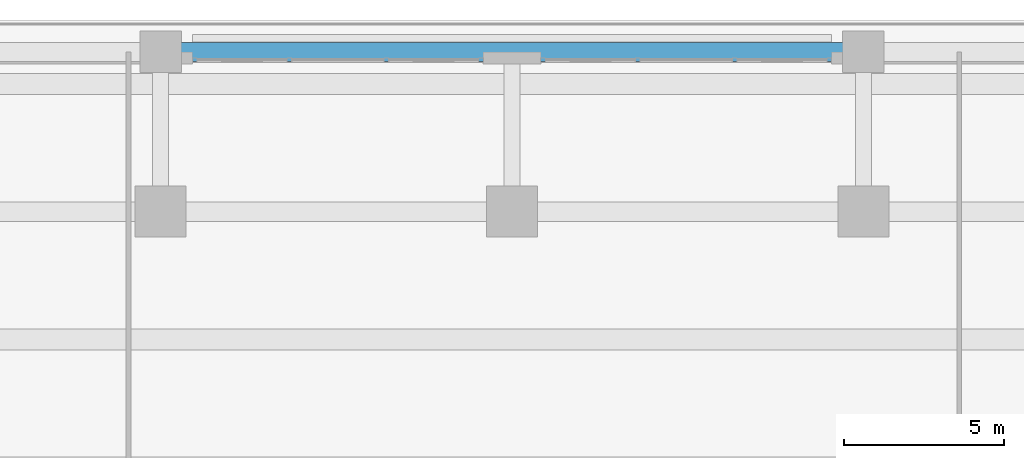
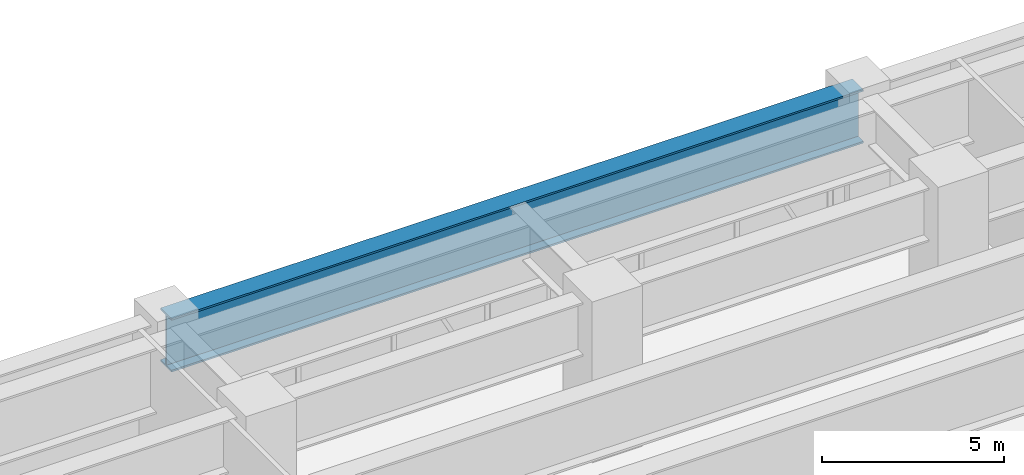
# One storey, part 11 of 28: 1 beam.
"""IFC4 building model written with IfcOpenShell, lengths in metres."""

from ifc_helpers import new_model, si_unit, direction, frame, origin, origin_2d, place, context, subcontext, project, spatial, i_section, extrude, source, transform, mapped, material, material_profile, profile_set, type_object, element, save


model = new_model("IFC4")

# Units and contexts
model_context = context("Model", 3, precision=1e-05, world=origin(), true_north=direction((0.0, 1.0)))
body_context = subcontext(model_context, "Body", "Model", "MODEL_VIEW")
ifc_project = project(units=[si_unit("LENGTHUNIT", "METRE"), si_unit("AREAUNIT", "SQUARE_METRE"), si_unit("VOLUMEUNIT", "CUBIC_METRE"), si_unit("PLANEANGLEUNIT", "RADIAN"), si_unit("MASSUNIT", "GRAM", prefix="KILO")], contexts=[model_context])

# Site, building, storey
site_placement = place(None, origin())
site = spatial("IfcSite", under=ifc_project, at=site_placement, CompositionType="ELEMENT")
building_placement = place(site_placement, origin())
building = spatial("IfcBuilding", under=site, at=building_placement, Name="Khorayat Bourse Tower", CompositionType="ELEMENT")
storey_placement = place(building_placement, frame((0.0, 0.0, 6.60009765625)))
storey = spatial("IfcBuildingStorey", under=building, at=storey_placement, Name="L01", CompositionType="ELEMENT", Elevation=6.60009765625)

# Beam
ifc_material = material(Name="Steel EN 10025-4 S460M", Category="steel")
ifc_material_profile = material_profile(ifc_material, i_section(OverallWidth=0.60009765625, OverallDepth=1.800048828125, WebThickness=0.031982421875, FlangeThickness=0.06005859375, at=origin_2d()), Name="PG 1800x600x32x60")
ifc_profile_set = profile_set([ifc_material_profile], Name="Steel EN 10025-4 S460M")
beam_type = type_object("IfcBeamType", Name="BM-TR-1800", PredefinedType="BEAM", material=ifc_profile_set)
shared_shape = source(origin(), body_context, "Body", "SweptSolid", [
    extrude(i_section(OverallWidth=0.60009765625, OverallDepth=1.800048828125, WebThickness=0.031982421875, FlangeThickness=0.06005859375, at=origin_2d()), origin(), (0.0, 0.0, 1.0), 22.0),
])
beam_placement = place(storey_placement, frame((-11.0, 37.0, 4.179931640625), z_axis=(1.0, 0.0, 0.0), x_axis=(0.0, 1.0, 0.0)))
element("IfcBeam", 1, at=beam_placement, inside=storey, type_object=beam_type, Name="L01 BM-TR-1800 BM-L01-PGX-094", PredefinedType="BEAM", context=body_context, shape_type="MappedRepresentation", body=[
    mapped(shared_shape, transform((0.0, 0.0, 0.0), scale=1.0)),
])

save(model, "model.ifc")
